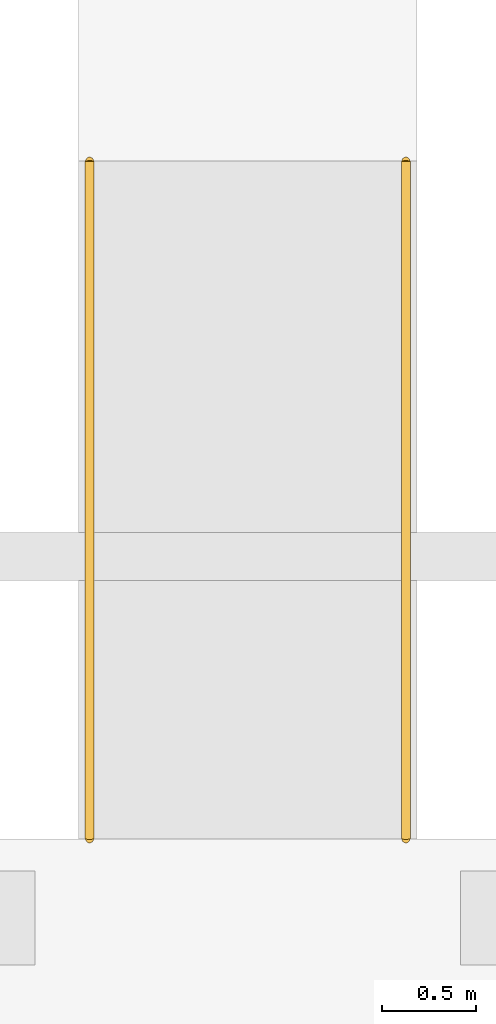
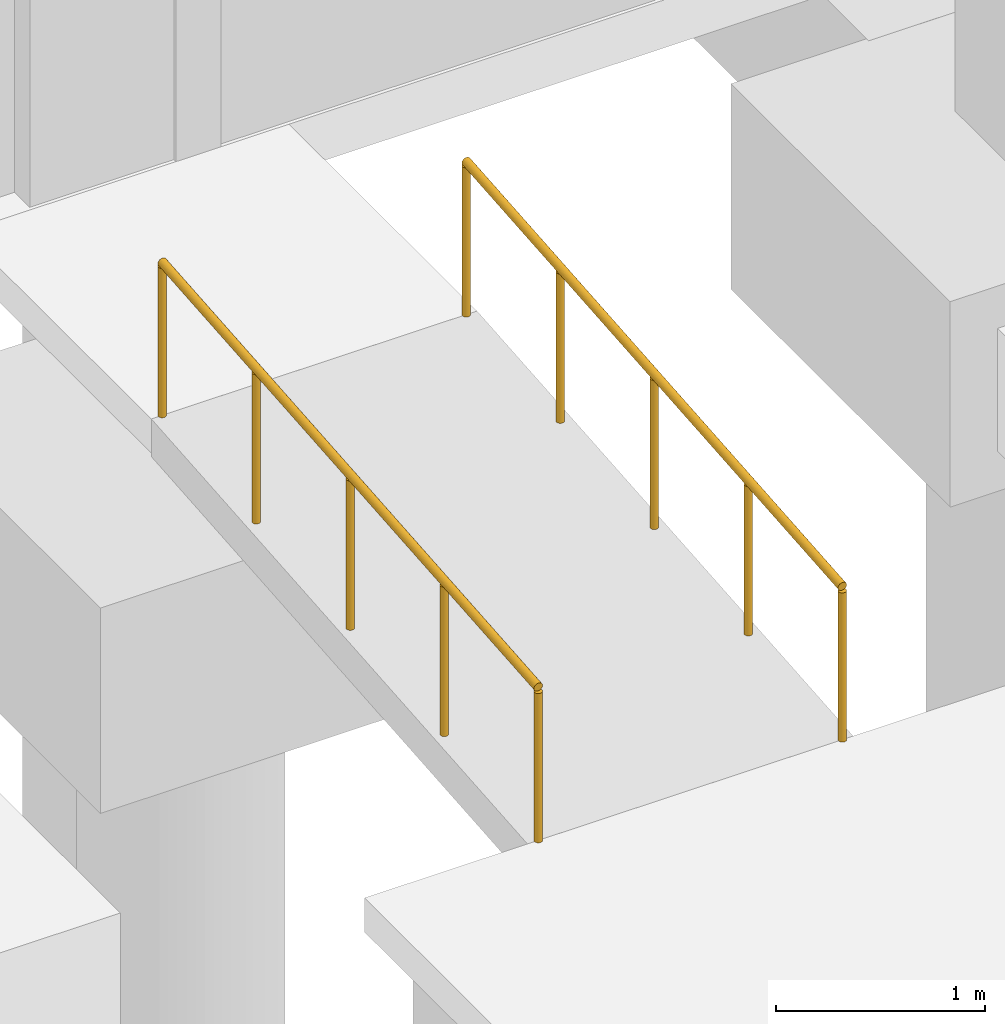
# One storey, part 80 of 88: 2 railings.
"""IFC4 building model written with IfcOpenShell, lengths in metres."""

from ifc_helpers import new_model, si_unit, direction, frame, origin, origin_2d, place, context, subcontext, project, spatial, circle, extrude, material, type_object, element, save


model = new_model("IFC4")

# Units and contexts
model_context = context("Model", 3, precision=1e-05, world=origin(), true_north=direction((0.0, 1.0)))
body_context = subcontext(model_context, "Body", "Model", "MODEL_VIEW")
ifc_project = project(units=[si_unit("LENGTHUNIT", "METRE"), si_unit("AREAUNIT", "SQUARE_METRE"), si_unit("VOLUMEUNIT", "CUBIC_METRE"), si_unit("PLANEANGLEUNIT", "RADIAN"), si_unit("MASSUNIT", "GRAM", prefix="KILO")], contexts=[model_context])

# Site, building, storey
site_placement = place(None, origin())
site = spatial("IfcSite", under=ifc_project, at=site_placement, CompositionType="ELEMENT")
building_placement = place(site_placement, origin())
building = spatial("IfcBuilding", under=site, at=building_placement, Name="Birchvale Park Specialist Clinic", CompositionType="ELEMENT")
storey_placement = place(building_placement, origin())
storey = spatial("IfcBuildingStorey", under=building, at=storey_placement, Name="L00", CompositionType="ELEMENT", Elevation=0.0)

# Railings
ifc_material = material(Name="Anodised aluminium handrail", Category="aluminium")
railing_type = type_object("IfcRailingType", Name="RL-HND1", PredefinedType="HANDRAIL", material=ifc_material)
for number, where, name in (
    (1, (105.0400390625, 11.39990234375, -0.300048828125), "Accessible ramp handrail AR-4 L"),
    (2, (103.360107421875, 11.39990234375, -0.300048828125), "Accessible ramp handrail AR-4 R"),
):
    element("IfcRailing", number, at=place(storey_placement, frame(where)), inside=storey, type_object=railing_type, Name=name, PredefinedType="HANDRAIL", context=body_context, shape_type="SweptSolid", body=[
        extrude(circle(Radius=0.02392578125, at=origin_2d()), frame((0.0, 0.0, 0.89599609375), z_axis=(0.0, 0.996544826035, 0.083056665618), x_axis=(-1.0, 0.0, 0.0)), (0.0, 0.0, 1.0), 3.612548828125),
        extrude(circle(Radius=0.02099609375, at=origin_2d()), origin(), (0.0, 0.0, 1.0), 0.871826171875),
        extrude(circle(Radius=0.02099609375, at=origin_2d()), frame((0.0, 0.89990234375, 0.074951171875)), (0.0, 0.0, 1.0), 0.871826171875),
        extrude(circle(Radius=0.02099609375, at=origin_2d()), frame((0.0, 1.800048828125, 0.14990234375)), (0.0, 0.0, 1.0), 0.871826171875),
        extrude(circle(Radius=0.02099609375, at=origin_2d()), frame((0.0, 2.7001953125, 0.22509765625)), (0.0, 0.0, 1.0), 0.871826171875),
        extrude(circle(Radius=0.02099609375, at=origin_2d()), frame((0.0, 3.60009765625, 0.300048828125)), (0.0, 0.0, 1.0), 0.871826171875),
    ])

save(model, "model.ifc")
